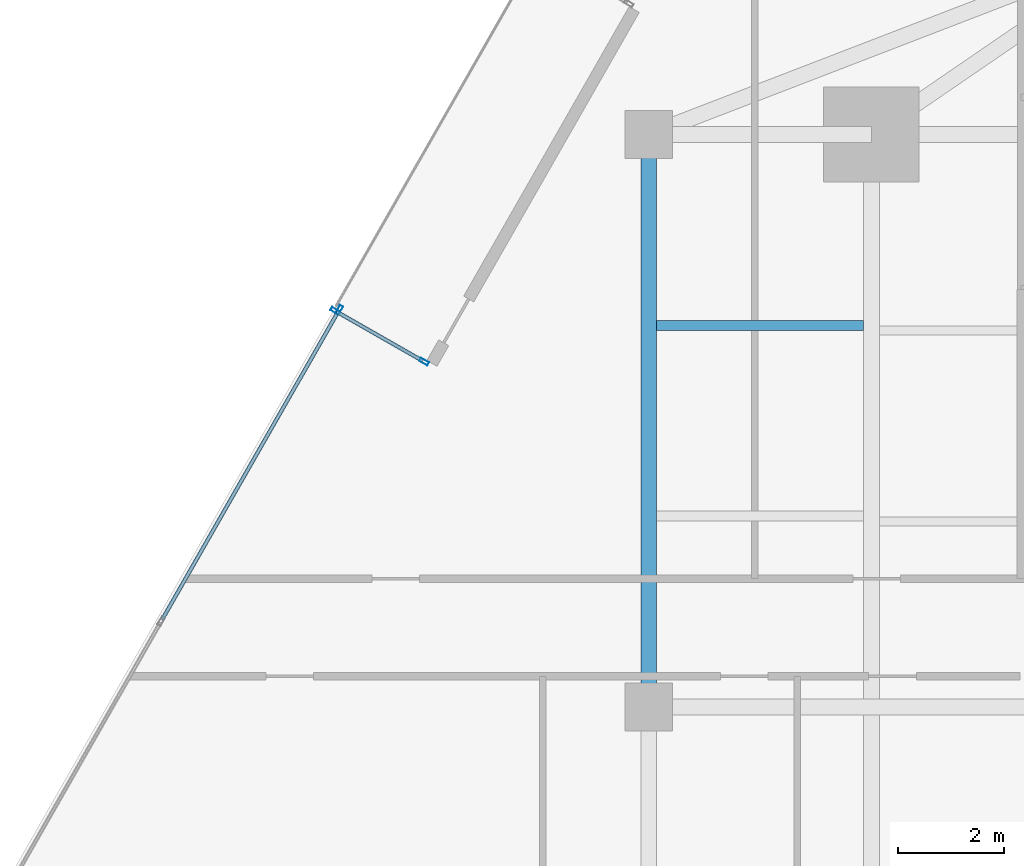
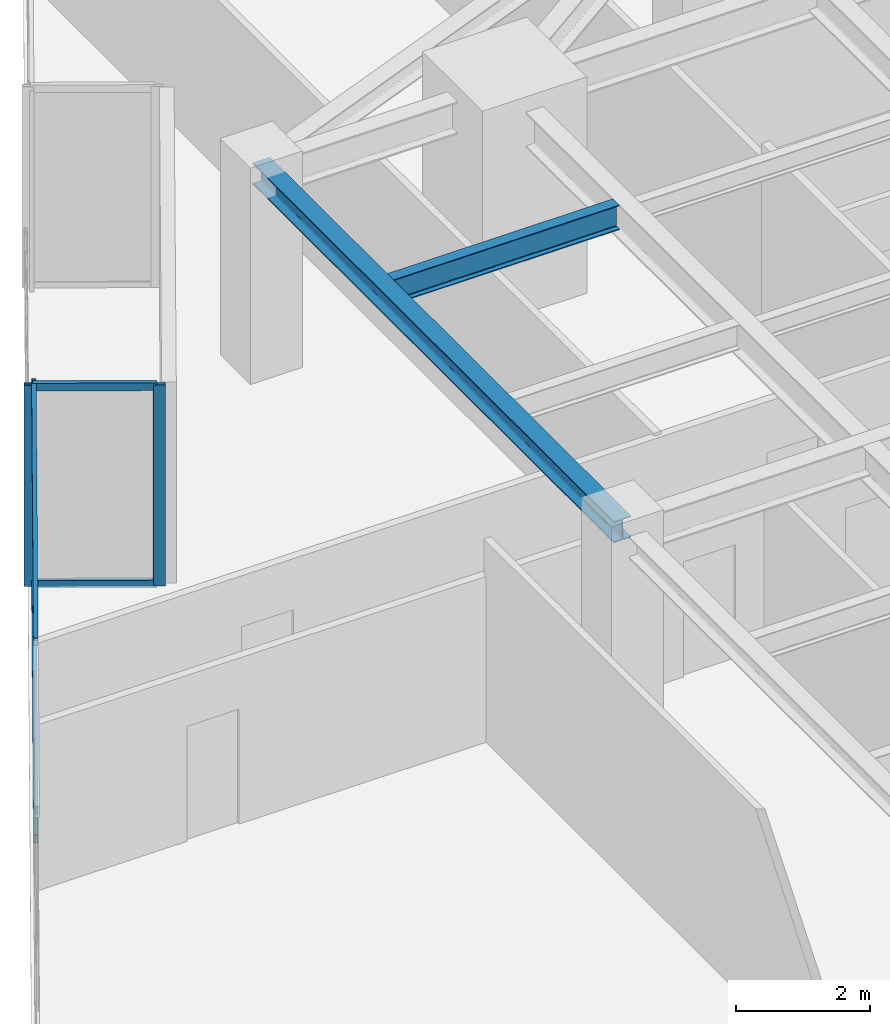
# One storey, part 12 of 24: 7 members, 2 beams, 2 elements without a shape of their own.
"""IFC4 building model written with IfcOpenShell, lengths in metres."""

from ifc_helpers import new_model, si_unit, direction, frame, origin, origin_2d, place, context, subcontext, project, spatial, hollow_rectangle, i_section, extrude, source, transform, mapped, material, material_profile, profile_set, type_object, type_shapes, element, aggregate, save


model = new_model("IFC4")

# Units and contexts
model_context = context("Model", 3, precision=1e-05, world=origin(), true_north=direction((0.0, 1.0)))
body_context = subcontext(model_context, "Body", "Model", "MODEL_VIEW")
ifc_project = project(units=[si_unit("LENGTHUNIT", "METRE"), si_unit("AREAUNIT", "SQUARE_METRE"), si_unit("VOLUMEUNIT", "CUBIC_METRE"), si_unit("PLANEANGLEUNIT", "RADIAN"), si_unit("MASSUNIT", "GRAM", prefix="KILO")], contexts=[model_context])

# Site, building, storey
site_placement = place(None, origin())
site = spatial("IfcSite", under=ifc_project, at=site_placement, CompositionType="ELEMENT")
building_placement = place(site_placement, origin())
building = spatial("IfcBuilding", under=site, at=building_placement, Name="Krantzveldt Concourse Tower", CompositionType="ELEMENT")
storey_placement = place(building_placement, frame((0.0, 0.0, 162.0)))
storey = spatial("IfcBuildingStorey", under=building, at=storey_placement, Name="L39", CompositionType="ELEMENT", Elevation=162.0)

# Beams
ifc_material_1 = material(Name="Steel S355JR", Category="steel")
ifc_material_profile_1 = material_profile(ifc_material_1, i_section(OverallWidth=0.300048828125, OverallDepth=0.389892578125, WebThickness=0.010986328125, FlangeThickness=0.01904296875, FilletRadius=0.027099609375, at=origin_2d()), Name="Steel S355JR", Category="steel")
ifc_profile_set_1 = profile_set([ifc_material_profile_1], Name="Steel S355JR - HEA 400")
beam_type_1 = type_object("IfcBeamType", Name="BM-SP-HEA400", PredefinedType="SPANDREL", material=ifc_profile_set_1)
shared_shape_1 = source(origin(), body_context, "Body", "SweptSolid", [
    extrude(i_section(OverallWidth=0.300048828125, OverallDepth=0.389892578125, WebThickness=0.010986328125, FlangeThickness=0.01904296875, FilletRadius=0.027099609375, at=origin_2d()), origin(), (0.0, 0.0, 1.0), 10.800048828125),
])
type_shapes(beam_type_1, [shared_shape_1])
beam_1_placement = place(storey_placement, frame((21.0, 26.699951171875, 3.47509765625), z_axis=(0.0, 1.0, 0.0), x_axis=(-1.0, 0.0, 0.0)))
element("IfcBeam", 1, at=beam_1_placement, inside=storey, type_object=beam_type_1, Name="L39 Tower Girder SP-R02", PredefinedType="SPANDREL", context=body_context, shape_type="MappedRepresentation", body=[
    mapped(shared_shape_1, transform((0.0, 0.0, 0.0), x_axis=(1.0, 0.0, 0.0), y_axis=(0.0, 1.0, 0.0), z_axis=(0.0, 0.0, 1.0), scale=1.0)),
])
ifc_material_profile_2 = material_profile(ifc_material_1, i_section(OverallWidth=0.18994140625, OverallDepth=0.449951171875, WebThickness=0.009521484375, FlangeThickness=0.0146484375, FilletRadius=0.02099609375, at=origin_2d()), Name="Steel S355JR", Category="steel")
ifc_profile_set_2 = profile_set([ifc_material_profile_2], Name="Steel S355JR - IPE 450")
beam_type_2 = type_object("IfcBeamType", Name="BM-J-IPE450", PredefinedType="JOIST", material=ifc_profile_set_2)
shared_shape_2 = source(origin(), body_context, "Body", "SweptSolid", [
    extrude(i_section(OverallWidth=0.18994140625, OverallDepth=0.449951171875, WebThickness=0.009521484375, FlangeThickness=0.0146484375, FilletRadius=0.02099609375, at=origin_2d()), origin(), (0.0, 0.0, 1.0), 3.900146484375),
])
type_shapes(beam_type_2, [shared_shape_2])
beam_2_placement = place(storey_placement, frame((21.14990234375, 33.89990234375, 3.445068359375), z_axis=(1.0, 0.0, 0.0), x_axis=(0.0, 1.0, 0.0)))
element("IfcBeam", 2, at=beam_2_placement, inside=storey, type_object=beam_type_2, Name="L39 Secondary Floor Joist JW-4", PredefinedType="JOIST", context=body_context, shape_type="MappedRepresentation", body=[
    mapped(shared_shape_2, transform((0.0, 0.0, 0.0), x_axis=(1.0, 0.0, 0.0), y_axis=(0.0, 1.0, 0.0), z_axis=(0.0, 0.0, 1.0), scale=1.0)),
])

# Curtain wall, members
ifc_material_2 = material(Name="Anodised aluminium 6063-T6", Category="aluminium")
curtain_wall_type_1 = type_object("IfcCurtainWallType", Name="CW6", PredefinedType="USERDEFINED", material=ifc_material_2)
curtain_wall_1_placement = place(storey_placement, origin())
curtain_wall_1 = element("IfcCurtainWall", 3, at=curtain_wall_1_placement, inside=storey, type_object=curtain_wall_type_1, Name="CW-L39-TR04", ObjectType="UNITISED CURTAIN WALL", PredefinedType="USERDEFINED")
ifc_material_profile_3 = material_profile(ifc_material_2, hollow_rectangle(XDim=0.070068359375, YDim=0.179931640625, WallThickness=0.0048828125, at=origin_2d()), Name="Anodised aluminium 6063-T6", Category="aluminium")
ifc_profile_set_3 = profile_set([ifc_material_profile_3], Name="Anodised aluminium 6063-T6 - ALU-MULL 180x70x5")
member_type_1 = type_object("IfcMemberType", Name="CW-MUL-180", PredefinedType="MULLION", material=ifc_profile_set_3)
shared_shape_3 = source(origin(), body_context, "Body", "SweptSolid", [
    extrude(hollow_rectangle(XDim=0.070068359375, YDim=0.179931640625, WallThickness=0.0048828125, at=origin_2d()), origin(), (0.0, 0.0, 1.0), 3.669921875),
])
type_shapes(member_type_1, [shared_shape_3])
member_1_placement = place(storey_placement, frame((16.76220703125, 33.21484375, 0.0), z_axis=(0.0, 0.0, 1.0), x_axis=(-0.496218628357, -0.86819760013, 0.0)))
member_1 = element("IfcMember", 4, at=member_1_placement, type_object=member_type_1, Name="CW-TERR mullion 1", PredefinedType="MULLION", context=body_context, shape_type="MappedRepresentation", body=[
    mapped(shared_shape_3, transform((0.0, 0.0, 0.0), x_axis=(1.0, 0.0, 0.0), y_axis=(0.0, 1.0, 0.0), z_axis=(0.0, 0.0, 1.0), scale=1.0)),
])
member_2_placement = place(storey_placement, frame((15.08642578125, 34.17236328125, 0.0), z_axis=(0.0, 0.0, 1.0), x_axis=(-0.496218628357, -0.86819760013, 0.0)))
member_2 = element("IfcMember", 5, at=member_2_placement, type_object=member_type_1, Name="CW-TERR mullion 2", PredefinedType="MULLION", context=body_context, shape_type="MappedRepresentation", body=[
    mapped(shared_shape_3, transform((0.0, 0.0, 0.0), x_axis=(1.0, 0.0, 0.0), y_axis=(0.0, 1.0, 0.0), z_axis=(0.0, 0.0, 1.0), scale=1.0)),
])

# Curtain wall, member
curtain_wall_type_2 = type_object("IfcCurtainWallType", Name="CW3", PredefinedType="USERDEFINED", material=ifc_material_2)
curtain_wall_2_placement = place(storey_placement, origin())
curtain_wall_2 = element("IfcCurtainWall", 6, at=curtain_wall_2_placement, inside=storey, type_object=curtain_wall_type_2, Name="CW-L39-F05", ObjectType="UNITISED CURTAIN WALL", PredefinedType="USERDEFINED")
member_3_placement = place(storey_placement, frame((15.16162109375, 34.19287109375, 0.0), z_axis=(0.0, 0.0, 1.0), x_axis=(0.868199066314, -0.496216063073, 0.0)))
member_3 = element("IfcMember", 7, at=member_3_placement, type_object=member_type_1, Name="CW-Z34 mullion 1", PredefinedType="MULLION", context=body_context, shape_type="MappedRepresentation", body=[
    mapped(shared_shape_3, transform((0.0, 0.0, 0.0), x_axis=(1.0, 0.0, 0.0), y_axis=(0.0, 1.0, 0.0), z_axis=(0.0, 0.0, 1.0), scale=1.0)),
])

# Member
ifc_material_profile_4 = material_profile(ifc_material_2, hollow_rectangle(XDim=0.070068359375, YDim=0.139892578125, WallThickness=0.0048828125, at=origin_2d()), Name="Anodised aluminium 6063-T6", Category="aluminium")
ifc_profile_set_4 = profile_set([ifc_material_profile_4], Name="Anodised aluminium 6063-T6 - ALU-TRAN 140x70x5")
member_type_2 = type_object("IfcMemberType", Name="CW-TRN-150", PredefinedType="USERDEFINED", material=ifc_profile_set_4)
shared_shape_4 = source(origin(), body_context, "Body", "SweptSolid", [
    extrude(hollow_rectangle(XDim=0.070068359375, YDim=0.139892578125, WallThickness=0.0048828125, at=origin_2d()), origin(), (0.0, 0.0, 1.0), 1.85986328125),
])
member_4_placement = place(storey_placement, frame((16.731689453125, 33.232177734375, 0.034912109375), z_axis=(-0.868210828001, 0.496195483799, 0.0), x_axis=(-0.496195483799, -0.868210828001, 0.0)))
member_4 = element("IfcMember", 8, at=member_4_placement, type_object=member_type_2, Name="CW-TERR transom 1.1", ObjectType="TRANSOM", PredefinedType="USERDEFINED", context=body_context, shape_type="MappedRepresentation", body=[
    mapped(shared_shape_4, transform((0.0, 0.0, 0.0), x_axis=(1.0, 0.0, 0.0), y_axis=(0.0, 1.0, 0.0), z_axis=(0.0, 0.0, 1.0), scale=1.0)),
])

member_5_placement = place(storey_placement, frame((16.731689453125, 33.232177734375, 3.635009765625), z_axis=(-0.868210828001, 0.496195483799, 0.0), x_axis=(-0.496195483799, -0.868210828001, 0.0)))
member_5 = element("IfcMember", 9, at=member_5_placement, type_object=member_type_2, Name="CW-TERR transom 1.2", ObjectType="TRANSOM", PredefinedType="USERDEFINED", context=body_context, shape_type="MappedRepresentation", body=[
    mapped(shared_shape_4, transform((0.0, 0.0, 0.0), x_axis=(1.0, 0.0, 0.0), y_axis=(0.0, 1.0, 0.0), z_axis=(0.0, 0.0, 1.0), scale=1.0)),
])

aggregate(curtain_wall_1, [member_1, member_2, member_4, member_5])

shared_shape_5 = source(origin(), body_context, "Body", "SweptSolid", [
    extrude(hollow_rectangle(XDim=0.070068359375, YDim=0.139892578125, WallThickness=0.0048828125, at=origin_2d()), origin(), (0.0, 0.0, 1.0), 6.695068359375),
])
type_shapes(member_type_2, [shared_shape_4, shared_shape_5])
member_6_placement = place(storey_placement, frame((15.144287109375, 34.16259765625, 0.034912109375), z_axis=(-0.496217476605, -0.868198258413, 0.0), x_axis=(0.868198258413, -0.496217476605, 0.0)))
member_6 = element("IfcMember", 10, at=member_6_placement, type_object=member_type_2, Name="CW-Z34 transom 1.1", ObjectType="TRANSOM", PredefinedType="USERDEFINED", context=body_context, shape_type="MappedRepresentation", body=[
    mapped(shared_shape_5, transform((0.0, 0.0, 0.0), x_axis=(1.0, 0.0, 0.0), y_axis=(0.0, 1.0, 0.0), z_axis=(0.0, 0.0, 1.0), scale=1.0)),
])

member_7_placement = place(storey_placement, frame((15.144287109375, 34.16259765625, 3.635009765625), z_axis=(-0.496217476605, -0.868198258413, 0.0), x_axis=(0.868198258413, -0.496217476605, 0.0)))
member_7 = element("IfcMember", 11, at=member_7_placement, type_object=member_type_2, Name="CW-Z34 transom 1.2", ObjectType="TRANSOM", PredefinedType="USERDEFINED", context=body_context, shape_type="MappedRepresentation", body=[
    mapped(shared_shape_5, transform((0.0, 0.0, 0.0), x_axis=(1.0, 0.0, 0.0), y_axis=(0.0, 1.0, 0.0), z_axis=(0.0, 0.0, 1.0), scale=1.0)),
])

aggregate(curtain_wall_2, [member_3, member_6, member_7])

save(model, "model.ifc")
